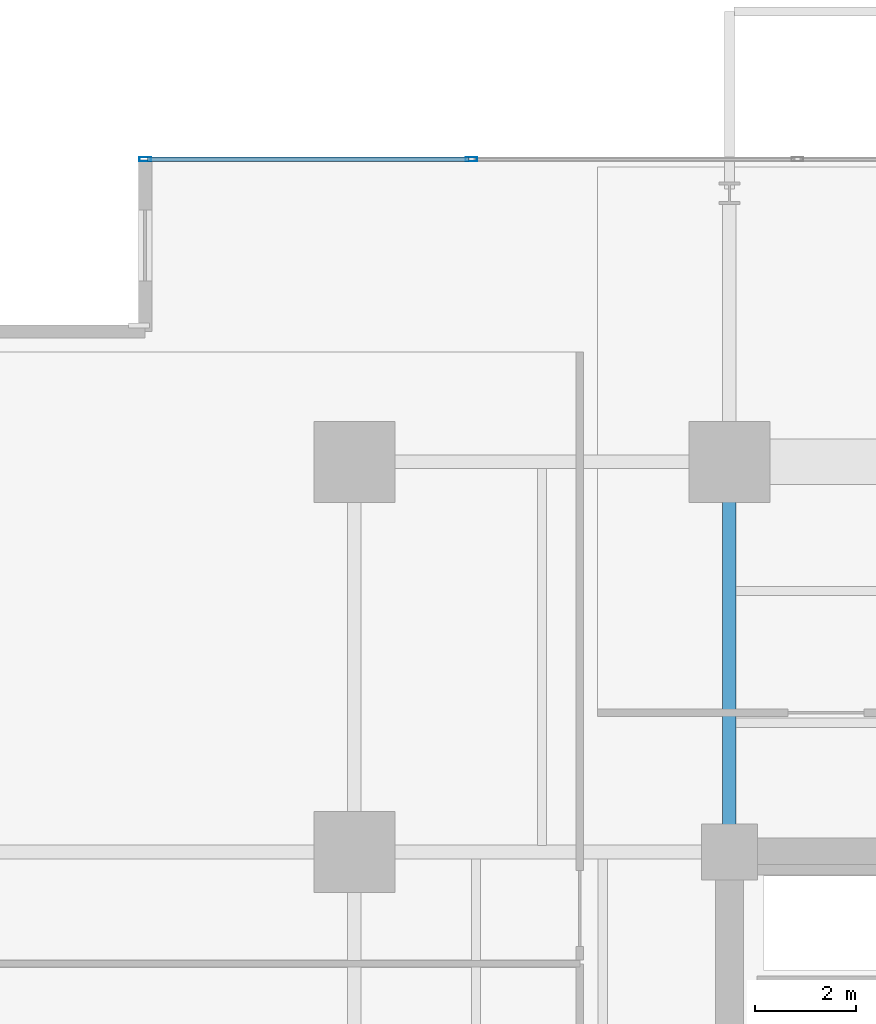
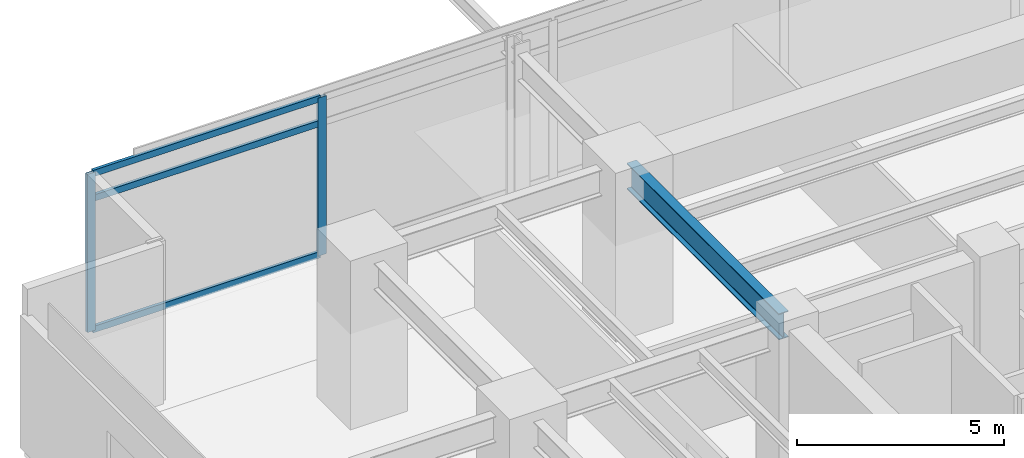
# One storey, part 8 of 24: 5 members, 1 beam, 1 element without a shape of its own.
"""IFC4 building model written with IfcOpenShell, lengths in metres."""

from ifc_helpers import new_model, si_unit, direction, frame, origin, origin_2d, place, context, subcontext, project, spatial, hollow_rectangle, i_section, extrude, material, material_profile, profile_set, type_object, element, aggregate, save


model = new_model("IFC4")

# Units and contexts
model_context = context("Model", 3, precision=1e-05, world=origin(), true_north=direction((0.0, 1.0)))
body_context = subcontext(model_context, "Body", "Model", "MODEL_VIEW")
ifc_project = project(units=[si_unit("LENGTHUNIT", "METRE"), si_unit("AREAUNIT", "SQUARE_METRE"), si_unit("VOLUMEUNIT", "CUBIC_METRE"), si_unit("PLANEANGLEUNIT", "RADIAN"), si_unit("MASSUNIT", "GRAM", prefix="KILO")], contexts=[model_context])

# Site, building, storey
site_placement = place(None, origin())
site = spatial("IfcSite", under=ifc_project, at=site_placement, CompositionType="ELEMENT")
building_placement = place(site_placement, origin())
building = spatial("IfcBuilding", under=site, at=building_placement, Name="Kovane Verandah Tower", CompositionType="ELEMENT")
storey_placement = place(building_placement, frame((0.0, 0.0, 118.39990234375)))
storey = spatial("IfcBuildingStorey", under=building, at=storey_placement, Name="L27", CompositionType="ELEMENT", Elevation=118.39990234375)

# Beam
ifc_material_1 = material(Name="Steel S355", Category="steel")
ifc_material_profile_1 = material_profile(ifc_material_1, i_section(OverallWidth=0.26806640625, OverallDepth=0.769775390625, WebThickness=0.015625, FlangeThickness=0.025390625, FilletRadius=0.0166015625, at=origin_2d()), Name="UB762x267x197")
ifc_profile_set_1 = profile_set([ifc_material_profile_1], Name="Steel S355")
beam_type = type_object("IfcBeamType", Name="BM-UB762x197", PredefinedType="BEAM", material=ifc_profile_set_1)
beam_placement = place(storey_placement, frame((29.0, 36.679931640625, 4.315185546875), z_axis=(0.0, 1.0, 0.0), x_axis=(-1.0, 0.0, 0.0)))
element("IfcBeam", 1, at=beam_placement, inside=storey, type_object=beam_type, Name="L27 Primary Tower Girder G-N1", PredefinedType="BEAM", context=body_context, shape_type="SweptSolid", body=[
    extrude(i_section(OverallWidth=0.26806640625, OverallDepth=0.769775390625, WebThickness=0.015625, FlangeThickness=0.025390625, FilletRadius=0.0166015625, at=origin_2d()), origin(), (0.0, 0.0, 1.0), 7.340087890625),
])

# Curtain wall, members
ifc_material_2 = material(Name="Champagne Anodised Aluminium Frame with Low-E Clear Laminated Glass", Category="aluminium")
curtain_wall_type = type_object("IfcCurtainWallType", Name="CW-SYS-03-MID", PredefinedType="NOTDEFINED", material=ifc_material_2)
curtain_wall_placement = place(storey_placement, origin())
curtain_wall = element("IfcCurtainWall", 2, at=curtain_wall_placement, inside=storey, type_object=curtain_wall_type, Name="L27 N Unitised Curtain Wall", PredefinedType="NOTDEFINED")
ifc_material_3 = material(Name="Champagne Anodised Aluminium 6063-T6", Category="aluminium")
ifc_material_profile_2 = material_profile(ifc_material_3, hollow_rectangle(XDim=0.0849609375, YDim=0.22998046875, WallThickness=0.00390625, at=origin_2d()), Name="AL85x230x4")
ifc_profile_set_2 = profile_set([ifc_material_profile_2], Name="Champagne Anodised Aluminium 6063-T6")
member_type_1 = type_object("IfcMemberType", Name="CW-MUL-85x230", PredefinedType="MULLION", material=ifc_profile_set_2)
member_1_placement = place(storey_placement, frame((23.9072265625, 50.1708984375, 0.02001953125), z_axis=(0.0, 0.0, 1.0), x_axis=(0.0, 1.0, 0.0)))
member_1 = element("IfcMember", 3, at=member_1_placement, type_object=member_type_1, Name="L27 N Unitised Curtain Wall Mullion 7", PredefinedType="MULLION", context=body_context, shape_type="SweptSolid", body=[
    extrude(hollow_rectangle(XDim=0.0849609375, YDim=0.22998046875, WallThickness=0.00390625, at=origin_2d()), origin(), (0.0, 0.0, 1.0), 4.66015625),
])
member_2_placement = place(storey_placement, frame((17.47021484375, 50.1708984375, 0.02001953125), z_axis=(0.0, 0.0, 1.0), x_axis=(0.0, 1.0, 0.0)))
member_2 = element("IfcMember", 4, at=member_2_placement, type_object=member_type_1, Name="L27 N Unitised Curtain Wall Mullion 8", PredefinedType="MULLION", context=body_context, shape_type="SweptSolid", body=[
    extrude(hollow_rectangle(XDim=0.0849609375, YDim=0.22998046875, WallThickness=0.00390625, at=origin_2d()), origin(), (0.0, 0.0, 1.0), 4.66015625),
])
ifc_material_profile_3 = material_profile(ifc_material_3, hollow_rectangle(XDim=0.0849609375, YDim=0.18994140625, WallThickness=0.00390625, at=origin_2d()), Name="AL85x190x4")
ifc_profile_set_3 = profile_set([ifc_material_profile_3], Name="Champagne Anodised Aluminium 6063-T6")
member_type_2 = type_object("IfcMemberType", Name="CW-TRN-85x190", PredefinedType="USERDEFINED", material=ifc_profile_set_3)
member_3_placement = place(storey_placement, frame((23.857177734375, 50.1708984375, 0.050048828125), z_axis=(-1.0, 0.0, 0.0), x_axis=(0.0, -1.0, 0.0)))
member_3 = element("IfcMember", 5, at=member_3_placement, type_object=member_type_2, Name="L27 N Unitised Curtain Wall Transom TB Bay 7", ObjectType="TRANSOM", PredefinedType="USERDEFINED", context=body_context, shape_type="SweptSolid", body=[
    extrude(hollow_rectangle(XDim=0.0849609375, YDim=0.18994140625, WallThickness=0.00390625, at=origin_2d()), origin(), (0.0, 0.0, 1.0), 6.337158203125),
])
member_4_placement = place(storey_placement, frame((23.857177734375, 50.1708984375, 3.920166015625), z_axis=(-1.0, 0.0, 0.0), x_axis=(0.0, -1.0, 0.0)))
member_4 = element("IfcMember", 6, at=member_4_placement, type_object=member_type_2, Name="L27 N Unitised Curtain Wall Transom TM Bay 7", ObjectType="TRANSOM", PredefinedType="USERDEFINED", context=body_context, shape_type="SweptSolid", body=[
    extrude(hollow_rectangle(XDim=0.0849609375, YDim=0.18994140625, WallThickness=0.00390625, at=origin_2d()), origin(), (0.0, 0.0, 1.0), 6.337158203125),
])
member_5_placement = place(storey_placement, frame((23.857177734375, 50.1708984375, 4.650146484375), z_axis=(-1.0, 0.0, 0.0), x_axis=(0.0, -1.0, 0.0)))
member_5 = element("IfcMember", 7, at=member_5_placement, type_object=member_type_2, Name="L27 N Unitised Curtain Wall Transom TT Bay 7", ObjectType="TRANSOM", PredefinedType="USERDEFINED", context=body_context, shape_type="SweptSolid", body=[
    extrude(hollow_rectangle(XDim=0.0849609375, YDim=0.18994140625, WallThickness=0.00390625, at=origin_2d()), origin(), (0.0, 0.0, 1.0), 6.337158203125),
])
aggregate(curtain_wall, [member_1, member_2, member_3, member_4, member_5])

save(model, "model.ifc")
